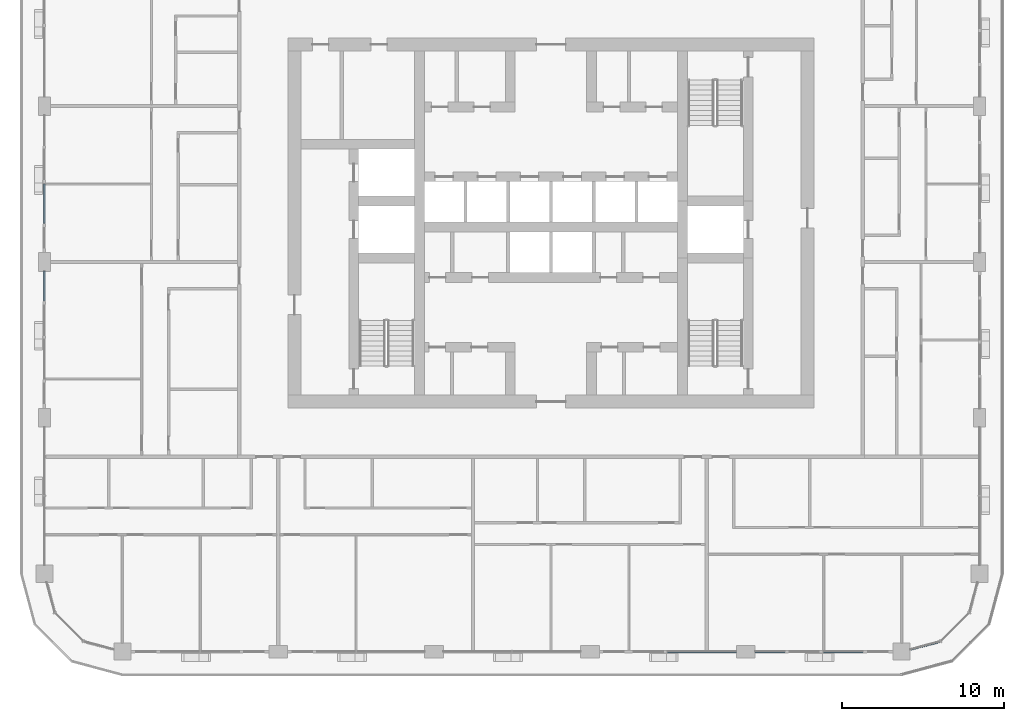
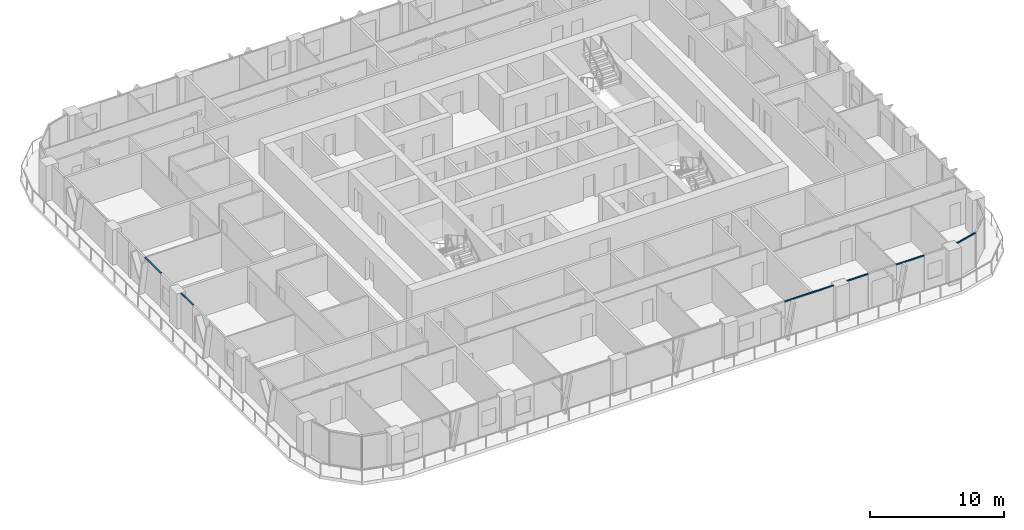
# One storey, part 3 of 22: 6 members, 5 elements without a shape of their own.
"""IFC4 building model written with IfcOpenShell, lengths in metres."""

from ifc_helpers import new_model, si_unit, direction, frame, origin, origin_2d, place, context, subcontext, project, spatial, rectangle, extrude, material, layer, layer_set, material_profile, profile_set, type_object, element, aggregate, save


model = new_model("IFC4")

# Units and contexts
model_context = context("Model", 3, precision=1e-05, world=origin(), true_north=direction((0.0, 1.0)))
body_context = subcontext(model_context, "Body", "Model", "MODEL_VIEW")
ifc_project = project(units=[si_unit("LENGTHUNIT", "METRE"), si_unit("AREAUNIT", "SQUARE_METRE"), si_unit("VOLUMEUNIT", "CUBIC_METRE"), si_unit("PLANEANGLEUNIT", "RADIAN"), si_unit("MASSUNIT", "GRAM", prefix="KILO")], contexts=[model_context])

# Site, building, storey
site_placement = place(None, origin())
site = spatial("IfcSite", under=ifc_project, at=site_placement, CompositionType="ELEMENT")
building_placement = place(site_placement, origin())
building = spatial("IfcBuilding", under=site, at=building_placement, Name="Madar Terraces", CompositionType="ELEMENT")
storey_placement = place(building_placement, frame((0.0, 0.0, 156.0)))
storey = spatial("IfcBuildingStorey", under=building, at=storey_placement, Name="L40", CompositionType="ELEMENT", Elevation=156.0)

# Curtain wall, member
ifc_material_1 = material(Name="Glass, ceramic frit dark grey, with black aluminium frame", Category="aluminium")
ifc_layer = layer(ifc_material_1, 0.199951171875)
ifc_layer_set = layer_set([ifc_layer], Name="Facade curtain wall, fritted glass")
curtain_wall_type = type_object("IfcCurtainWallType", Name="Facade curtain wall, fritted glass", PredefinedType="NOTDEFINED", material=ifc_layer_set)
curtain_wall_1_placement = place(storey_placement, origin())
curtain_wall_1 = element("IfcCurtainWall", 1, at=curtain_wall_1_placement, inside=storey, type_object=curtain_wall_type, Name="Outer skin curtain wall south bay 4", PredefinedType="NOTDEFINED")
ifc_material_2 = material(Name="Aluminium, black anodised", Category="aluminium")
ifc_material_profile = material_profile(ifc_material_2, rectangle(XDim=0.1201171875, YDim=0.06005859375, at=origin_2d()), Name="Facade transom 60x120")
ifc_profile_set = profile_set([ifc_material_profile], Name="Aluminium, black anodised")
member_type = type_object("IfcMemberType", Name="Facade transom 60x120", PredefinedType="USERDEFINED", material=ifc_profile_set)
member_1_placement = place(storey_placement, frame((38.39990234375, 0.0, 3.169921875), z_axis=(1.0, 0.0, 0.0), x_axis=(0.0, 1.0, 0.0)))
member_1 = element("IfcMember", 2, at=member_1_placement, type_object=member_type, Name="Transom 1", ObjectType="TRANSOM", PredefinedType="USERDEFINED", context=body_context, shape_type="SweptSolid", body=[
    extrude(rectangle(XDim=0.1201171875, YDim=0.06005859375, at=origin_2d()), origin(), (0.0, 0.0, 1.0), 4.22509765625),
])
aggregate(curtain_wall_1, [member_1])

# Curtain wall, members
curtain_wall_2_placement = place(storey_placement, origin())
curtain_wall_2 = element("IfcCurtainWall", 3, at=curtain_wall_2_placement, inside=storey, type_object=curtain_wall_type, Name="Outer skin curtain wall south bay 5", PredefinedType="NOTDEFINED")
member_2_placement = place(storey_placement, frame((43.77490234375, 0.0, 3.169921875), z_axis=(1.0, 0.0, 0.0), x_axis=(0.0, 1.0, 0.0)))
member_2 = element("IfcMember", 4, at=member_2_placement, type_object=member_type, Name="Transom 1", ObjectType="TRANSOM", PredefinedType="USERDEFINED", context=body_context, shape_type="SweptSolid", body=[
    extrude(rectangle(XDim=0.1201171875, YDim=0.06005859375, at=origin_2d()), origin(), (0.0, 0.0, 1.0), 1.8251953125),
])
member_3_placement = place(storey_placement, frame((48.0, 0.0, 3.169921875), z_axis=(1.0, 0.0, 0.0), x_axis=(0.0, 1.0, 0.0)))
member_3 = element("IfcMember", 5, at=member_3_placement, type_object=member_type, Name="Transom 2", ObjectType="TRANSOM", PredefinedType="USERDEFINED", context=body_context, shape_type="SweptSolid", body=[
    extrude(rectangle(XDim=0.1201171875, YDim=0.06005859375, at=origin_2d()), origin(), (0.0, 0.0, 1.0), 2.39990234375),
])
aggregate(curtain_wall_2, [member_2, member_3])

# Curtain wall, member
curtain_wall_3_placement = place(storey_placement, origin())
curtain_wall_3 = element("IfcCurtainWall", 6, at=curtain_wall_3_placement, inside=storey, type_object=curtain_wall_type, Name="Outer skin curtain wall west bay 2", PredefinedType="NOTDEFINED")
member_4_placement = place(storey_placement, frame((0.0, 28.800048828125, 3.169921875), z_axis=(0.0, -1.0, 0.0), x_axis=(1.0, 0.0, 0.0)))
member_4 = element("IfcMember", 7, at=member_4_placement, type_object=member_type, Name="Transom 2", ObjectType="TRANSOM", PredefinedType="USERDEFINED", context=body_context, shape_type="SweptSolid", body=[
    extrude(rectangle(XDim=0.1201171875, YDim=0.06005859375, at=origin_2d()), origin(), (0.0, 0.0, 1.0), 2.400146484375),
])
aggregate(curtain_wall_3, [member_4])

curtain_wall_4_placement = place(storey_placement, origin())
curtain_wall_4 = element("IfcCurtainWall", 8, at=curtain_wall_4_placement, inside=storey, type_object=curtain_wall_type, Name="Outer skin curtain wall west bay 3", PredefinedType="NOTDEFINED")
member_5_placement = place(storey_placement, frame((0.0, 23.425048828125, 3.169921875), z_axis=(0.0, -1.0, 0.0), x_axis=(1.0, 0.0, 0.0)))
member_5 = element("IfcMember", 9, at=member_5_placement, type_object=member_type, Name="Transom 1", ObjectType="TRANSOM", PredefinedType="USERDEFINED", context=body_context, shape_type="SweptSolid", body=[
    extrude(rectangle(XDim=0.1201171875, YDim=0.06005859375, at=origin_2d()), origin(), (0.0, 0.0, 1.0), 1.824951171875),
])
aggregate(curtain_wall_4, [member_5])

curtain_wall_5_placement = place(storey_placement, origin())
curtain_wall_5 = element("IfcCurtainWall", 10, at=curtain_wall_5_placement, inside=storey, type_object=curtain_wall_type, Name="Outer skin curtain wall south-east corner", PredefinedType="NOTDEFINED")
member_6_placement = place(storey_placement, frame((53.324951171875, 0.140625, 3.169921875), z_axis=(0.965933227928, 0.25879142023, 0.0), x_axis=(-0.25879142023, 0.965933227928, 0.0)))
member_6 = element("IfcMember", 11, at=member_6_placement, type_object=member_type, Name="Transom 1", ObjectType="TRANSOM", PredefinedType="USERDEFINED", context=body_context, shape_type="SweptSolid", body=[
    extrude(rectangle(XDim=0.1201171875, YDim=0.06005859375, at=origin_2d()), origin(), (0.0, 0.0, 1.0), 1.911376953125),
])
aggregate(curtain_wall_5, [member_6])

save(model, "model.ifc")
